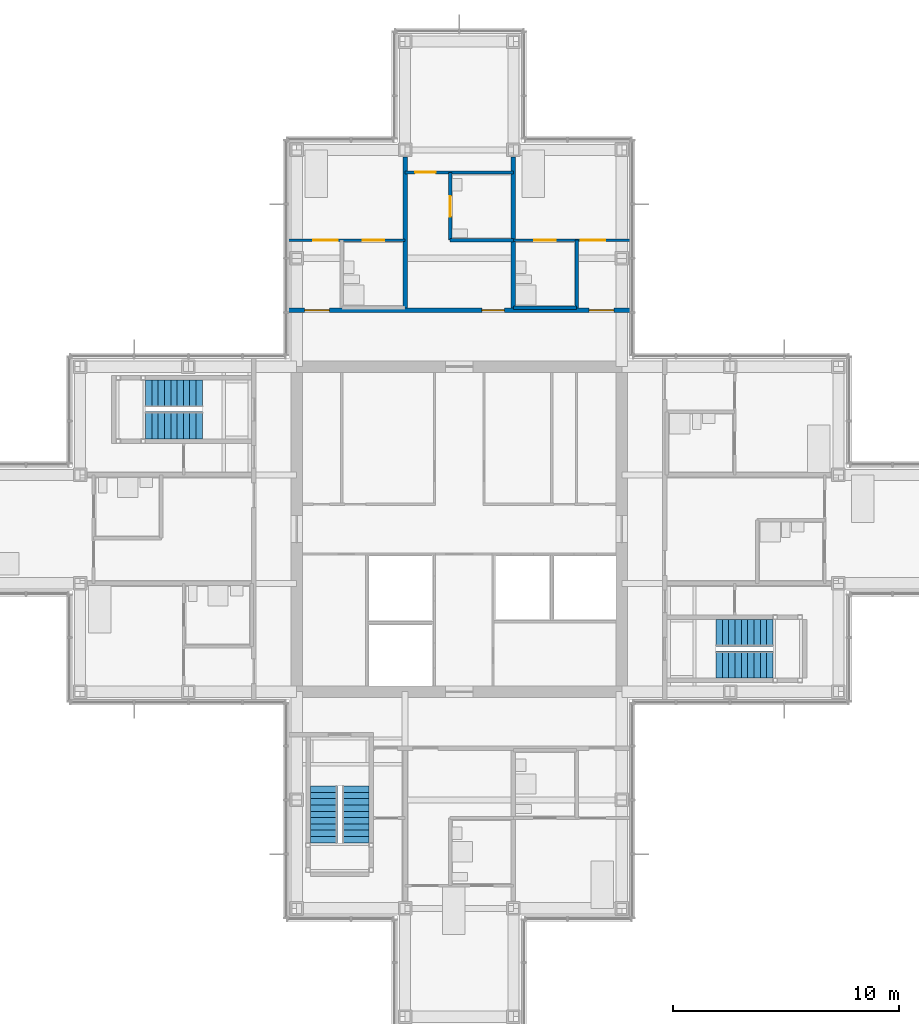
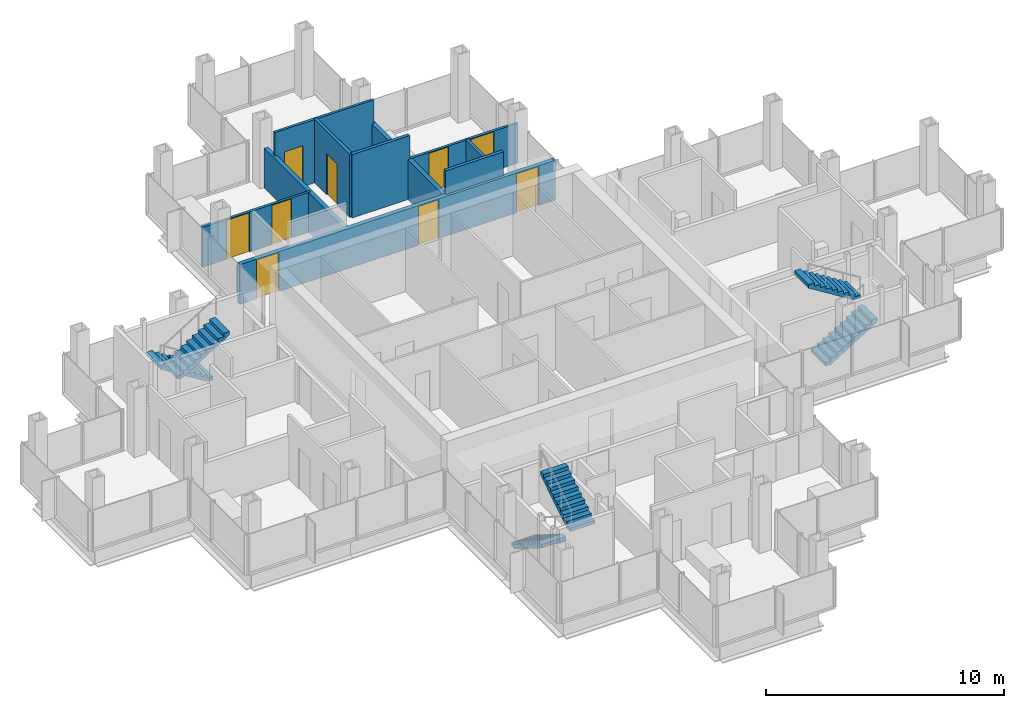
# One storey, part 14 of 17: 10 walls, 9 doors, 6 stair flights, 9 openings, 3 elements without a shape of their own.
"""IFC4 building model written with IfcOpenShell, lengths in metres."""

from ifc_helpers import new_model, si_unit, direction, frame, frame_2d, origin, place, context, subcontext, project, spatial, polyline, rectangle, outline, extrude, material, layer, layer_set, type_object, element, fill, aggregate, save


model = new_model("IFC4")

# Units and contexts
model_context = context("Model", 3, precision=1e-05, world=origin(), true_north=direction((0.0, 1.0)))
body_context = subcontext(model_context, "Body", "Model", "MODEL_VIEW")
ifc_project = project(units=[si_unit("LENGTHUNIT", "METRE"), si_unit("AREAUNIT", "SQUARE_METRE"), si_unit("VOLUMEUNIT", "CUBIC_METRE"), si_unit("PLANEANGLEUNIT", "RADIAN"), si_unit("MASSUNIT", "GRAM", prefix="KILO")], contexts=[model_context])

# Site, building, storey
site_placement = place(None, origin())
site = spatial("IfcSite", under=ifc_project, at=site_placement, CompositionType="ELEMENT")
building_placement = place(site_placement, origin())
building = spatial("IfcBuilding", under=site, at=building_placement, Name="Kvirike Care Tower", CompositionType="ELEMENT")
storey_placement = place(building_placement, frame((0.0, 0.0, 186.5)))
storey = spatial("IfcBuildingStorey", under=building, at=storey_placement, Name="L51", CompositionType="ELEMENT", Elevation=186.5)

# Walls
ifc_material_1 = material(Name="Moisture-resistant board partition", Category="gypsum")
ifc_layer_1 = layer(ifc_material_1, 0.14990234375)
ifc_layer_set_1 = layer_set([ifc_layer_1], Name="BATHROOM WALL 150")
wall_type_1 = type_object("IfcWallType", Name="BATHROOM WALL 150", PredefinedType="PARTITIONING", material=ifc_layer_set_1)
wall_1_placement = place(storey_placement, frame((26.800048828125, 48.800048828125, 0.0), z_axis=(0.0, 0.0, 1.0), x_axis=(0.0, -1.0, 0.0)))
element("IfcWall", 1, at=wall_1_placement, inside=storey, type_object=wall_type_1, Name="Bathroom Wall 150 L51", PredefinedType="PARTITIONING", context=body_context, shape_type="SweptSolid", body=[
    extrude(rectangle(XDim=3.0, YDim=0.14990234375, at=frame_2d((1.5, 0.0))), origin(), (0.0, 0.0, 1.0), 2.0400390625),
])
wall_2_placement = place(storey_placement, frame((26.800048828125, 45.800048828125, 0.0), z_axis=(0.0, 0.0, 1.0), x_axis=(-1.0, 0.0, 0.0)))
element("IfcWall", 2, at=wall_2_placement, inside=storey, type_object=wall_type_1, Name="Bathroom Wall 150 L51", PredefinedType="PARTITIONING", context=body_context, shape_type="SweptSolid", body=[
    extrude(rectangle(XDim=2.800048828125, YDim=0.14990234375, at=frame_2d((1.39990234375, 0.0))), origin(), (0.0, 0.0, 1.0), 3.25),
])

# Wall, opening, door
wall_3_placement = place(storey_placement, frame((21.199951171875, 51.800048828125, 0.0), z_axis=(0.0, 0.0, 1.0), x_axis=(0.0, -1.0, 0.0)))
wall_3 = element("IfcWall", 3, at=wall_3_placement, inside=storey, type_object=wall_type_1, Name="Bathroom Wall 150 L51", PredefinedType="PARTITIONING", context=body_context, shape_type="SweptSolid", body=[
    extrude(rectangle(XDim=3.0, YDim=0.14990234375, at=frame_2d((1.5, 0.0))), origin(), (0.0, 0.0, 1.0), 3.25),
])
opening_1_placement = place(wall_3_placement, frame((1.050048828125, 0.0, 0.0)))
opening_1 = element("IfcOpeningElement", 4, at=opening_1_placement, cuts=wall_3, Name="Opening 51-021", PredefinedType="OPENING", context=body_context, shape_type="SweptSolid", body=[
    extrude(rectangle(XDim=0.89990234375, YDim=2.10009765625, at=frame_2d((0.449951171875, 1.050048828125))), frame((0.0, 0.08544921875, 0.0), z_axis=(0.0, -1.0, 0.0), x_axis=(1.0, 0.0, 0.0)), (0.0, 0.0, 1.0), 0.1708984375),
])
ifc_material_2 = material(Name="Timber door set", Category="wood")
door_type_1 = type_object("IfcDoorType", Name="BATHROOM DOOR 900", OperationType="SINGLE_SWING_RIGHT", PredefinedType="DOOR", material=ifc_material_2)
door_1_placement = place(opening_1_placement, origin())
door_1 = element("IfcDoor", 5, at=door_1_placement, inside=storey, type_object=door_type_1, Name="Staff WC door", OperationType="SINGLE_SWING_RIGHT", OverallHeight=2.10009765625, OverallWidth=0.89990234375, PredefinedType="DOOR", context=body_context, shape_type="SweptSolid", body=[
    extrude(rectangle(XDim=0.89990234375, YDim=2.10009765625, at=frame_2d((0.449951171875, 1.050048828125))), frame((0.0, 0.02197265625, 0.0), z_axis=(0.0, -1.0, 0.0), x_axis=(1.0, 0.0, 0.0)), (0.0, 0.0, 1.0), 0.0439453125),
])
fill(opening_1, door_1)

# Wall
wall_4_placement = place(storey_placement, frame((24.0, 48.800048828125, 0.0), z_axis=(0.0, 0.0, 1.0), x_axis=(-1.0, 0.0, 0.0)))
element("IfcWall", 6, at=wall_4_placement, inside=storey, type_object=wall_type_1, Name="Bathroom Wall 150 L51", PredefinedType="PARTITIONING", context=body_context, shape_type="SweptSolid", body=[
    extrude(rectangle(XDim=2.800048828125, YDim=0.14990234375, at=frame_2d((1.39990234375, 0.0))), origin(), (0.0, 0.0, 1.0), 3.25),
])

# Wall, openings, doors
ifc_material_3 = material(Name="Plasterboard corridor wall", Category="gypsum")
ifc_layer_2 = layer(ifc_material_3, 0.199951171875)
ifc_layer_set_2 = layer_set([ifc_layer_2], Name="CORRIDOR WALL 200")
wall_type_2 = type_object("IfcWallType", Name="CORRIDOR WALL 200", PredefinedType="PARTITIONING", material=ifc_layer_set_2)
wall_5_placement = place(storey_placement, frame((29.25, 45.699951171875, 0.0), z_axis=(0.0, 0.0, 1.0), x_axis=(-1.0, 0.0, 0.0)))
wall_5 = element("IfcWall", 7, at=wall_5_placement, inside=storey, type_object=wall_type_2, Name="Corridor Wall 200 L51", PredefinedType="PARTITIONING", context=body_context, shape_type="SweptSolid", body=[
    extrude(rectangle(XDim=15.300048828125, YDim=0.199951171875, at=frame_2d((7.64990234375, 0.0))), origin(), (0.0, 0.0, 1.0), 2.0400390625),
])
opening_2_placement = place(wall_5_placement, frame((0.800048828125, 0.0, 0.0)))
opening_2 = element("IfcOpeningElement", 8, at=opening_2_placement, cuts=wall_5, Name="Opening 51-025", PredefinedType="OPENING", context=body_context, shape_type="SweptSolid", body=[
    extrude(rectangle(XDim=1.10009765625, YDim=2.0, at=frame_2d((0.550048828125, 1.0))), frame((0.0, 0.110595703125, 0.0), z_axis=(0.0, -1.0, 0.0), x_axis=(1.0, 0.0, 0.0)), (0.0, 0.0, 1.0), 0.220947265625),
])
opening_3_placement = place(wall_5_placement, frame((5.64990234375, 0.0, 0.0)))
opening_3 = element("IfcOpeningElement", 9, at=opening_3_placement, cuts=wall_5, Name="Opening 51-026", PredefinedType="OPENING", context=body_context, shape_type="SweptSolid", body=[
    extrude(rectangle(XDim=1.0, YDim=2.0, at=frame_2d((0.5, 1.0))), frame((0.0, 0.110595703125, 0.0), z_axis=(0.0, -1.0, 0.0), x_axis=(1.0, 0.0, 0.0)), (0.0, 0.0, 1.0), 0.220947265625),
])
opening_4_placement = place(wall_5_placement, frame((13.39990234375, 0.0, 0.0)))
opening_4 = element("IfcOpeningElement", 10, at=opening_4_placement, cuts=wall_5, Name="Opening 51-027", PredefinedType="OPENING", context=body_context, shape_type="SweptSolid", body=[
    extrude(rectangle(XDim=1.10009765625, YDim=2.0, at=frame_2d((0.550048828125, 1.0))), frame((0.0, 0.110595703125, 0.0), z_axis=(0.0, -1.0, 0.0), x_axis=(1.0, 0.0, 0.0)), (0.0, 0.0, 1.0), 0.220947265625),
])
ifc_material_4 = material(Name="Timber door set", Category="wood")
door_type_2 = type_object("IfcDoorType", Name="BEDROOM ENTRANCE DOOR 1100 x 2000", OperationType="SINGLE_SWING_LEFT", PredefinedType="DOOR", material=ifc_material_4)
door_2_placement = place(opening_2_placement, frame((1.10009765625, 0.0, 0.0), z_axis=(0.0, 0.0, 1.0), x_axis=(-1.0, 0.0, 0.0)))
door_2 = element("IfcDoor", 11, at=door_2_placement, inside=storey, type_object=door_type_2, Name="Memory care bedroom entrance", OperationType="SINGLE_SWING_LEFT", OverallHeight=2.0, OverallWidth=1.10009765625, PredefinedType="DOOR", context=body_context, shape_type="SweptSolid", body=[
    extrude(rectangle(XDim=1.10009765625, YDim=2.0, at=frame_2d((0.550048828125, 1.0))), frame((0.0, 0.02685546875, 0.0), z_axis=(0.0, -1.0, 0.0), x_axis=(1.0, 0.0, 0.0)), (0.0, 0.0, 1.0), 0.053955078125),
])
fill(opening_2, door_2)
door_3_placement = place(opening_4_placement, frame((1.10009765625, 0.0, 0.0), z_axis=(0.0, 0.0, 1.0), x_axis=(-1.0, 0.0, 0.0)))
door_3 = element("IfcDoor", 12, at=door_3_placement, inside=storey, type_object=door_type_2, Name="Memory care bedroom entrance", OperationType="SINGLE_SWING_RIGHT", OverallHeight=2.0, OverallWidth=1.10009765625, PredefinedType="DOOR", context=body_context, shape_type="SweptSolid", body=[
    extrude(rectangle(XDim=1.10009765625, YDim=2.0, at=frame_2d((0.550048828125, 1.0))), frame((0.0, 0.02685546875, 0.0), z_axis=(0.0, -1.0, 0.0), x_axis=(1.0, 0.0, 0.0)), (0.0, 0.0, 1.0), 0.053955078125),
])
fill(opening_4, door_3)
ifc_material_5 = material(Name="Timber door set", Category="wood")
door_type_3 = type_object("IfcDoorType", Name="FLAT ENTRANCE DOOR 1000 x 2000", OperationType="SINGLE_SWING_LEFT", PredefinedType="DOOR", material=ifc_material_5)
door_4_placement = place(opening_3_placement, frame((1.0, 0.0, 0.0), z_axis=(0.0, 0.0, 1.0), x_axis=(-1.0, 0.0, 0.0)))
door_4 = element("IfcDoor", 13, at=door_4_placement, inside=storey, type_object=door_type_3, Name="Sensory garden room entrance", OperationType="SINGLE_SWING_LEFT", OverallHeight=2.0, OverallWidth=1.0, PredefinedType="DOOR", context=body_context, shape_type="SweptSolid", body=[
    extrude(rectangle(XDim=1.0, YDim=2.0, at=frame_2d((0.5, 1.0))), frame((0.0, 0.02685546875, 0.0), z_axis=(0.0, -1.0, 0.0), x_axis=(1.0, 0.0, 0.0)), (0.0, 0.0, 1.0), 0.053955078125),
])
fill(opening_3, door_4)

ifc_material_6 = material(Name="Plasterboard partition", Category="gypsum")
ifc_layer_3 = layer(ifc_material_6, 0.1201171875)
ifc_layer_set_3 = layer_set([ifc_layer_3], Name="PARTITION 120")
wall_type_3 = type_object("IfcWallType", Name="PARTITION 120", PredefinedType="PARTITIONING", material=ifc_layer_set_3)
wall_6_placement = place(storey_placement, frame((29.25, 48.800048828125, 0.0), z_axis=(0.0, 0.0, 1.0), x_axis=(-1.0, 0.0, 0.0)))
wall_6 = element("IfcWall", 14, at=wall_6_placement, inside=storey, type_object=wall_type_3, Name="Partition 120 L51", PredefinedType="PARTITIONING", context=body_context, shape_type="SweptSolid", body=[
    extrude(rectangle(XDim=5.25, YDim=0.1201171875, at=frame_2d((2.625, 0.0))), origin(), (0.0, 0.0, 1.0), 2.0400390625),
])
opening_5_placement = place(wall_6_placement, frame((1.175048828125, 0.0, 0.0)))
opening_5 = element("IfcOpeningElement", 15, at=opening_5_placement, cuts=wall_6, Name="Opening 51-019", PredefinedType="OPENING", context=body_context, shape_type="SweptSolid", body=[
    extrude(rectangle(XDim=1.10009765625, YDim=2.0, at=frame_2d((0.550048828125, 1.0))), frame((0.0, 0.070556640625, 0.0), z_axis=(0.0, -1.0, 0.0), x_axis=(1.0, 0.0, 0.0)), (0.0, 0.0, 1.0), 0.14111328125),
])
opening_6_placement = place(wall_6_placement, frame((3.375, 0.0, 0.0)))
opening_6 = element("IfcOpeningElement", 16, at=opening_6_placement, cuts=wall_6, Name="Opening 51-020", PredefinedType="OPENING", context=body_context, shape_type="SweptSolid", body=[
    extrude(rectangle(XDim=0.949951171875, YDim=2.0, at=frame_2d((0.47509765625, 1.0))), frame((0.0, 0.070556640625, 0.0), z_axis=(0.0, -1.0, 0.0), x_axis=(1.0, 0.0, 0.0)), (0.0, 0.0, 1.0), 0.14111328125),
])
ifc_material_7 = material(Name="Timber door set", Category="wood")
door_type_4 = type_object("IfcDoorType", Name="BEDROOM DOOR 1100 x 2000", OperationType="SINGLE_SWING_LEFT", PredefinedType="DOOR", material=ifc_material_7)
door_5_placement = place(opening_5_placement, origin())
door_5 = element("IfcDoor", 17, at=door_5_placement, inside=storey, type_object=door_type_4, Name="Memory care bedroom door", OperationType="SINGLE_SWING_LEFT", OverallHeight=2.0, OverallWidth=1.10009765625, PredefinedType="DOOR", context=body_context, shape_type="SweptSolid", body=[
    extrude(rectangle(XDim=1.10009765625, YDim=2.0, at=frame_2d((0.550048828125, 1.0))), frame((0.0, 0.02197265625, 0.0), z_axis=(0.0, -1.0, 0.0), x_axis=(1.0, 0.0, 0.0)), (0.0, 0.0, 1.0), 0.0439453125),
])
fill(opening_5, door_5)
ifc_material_8 = material(Name="Timber door set", Category="wood")
door_type_5 = type_object("IfcDoorType", Name="EN-SUITE SLIDING DOOR 950 x 2000", OperationType="SLIDING_TO_LEFT", PredefinedType="DOOR", material=ifc_material_8)
door_6_placement = place(opening_6_placement, origin())
door_6 = element("IfcDoor", 18, at=door_6_placement, inside=storey, type_object=door_type_5, Name="En-suite door", OperationType="SLIDING_TO_RIGHT", OverallHeight=2.0, OverallWidth=0.949951171875, PredefinedType="DOOR", context=body_context, shape_type="SweptSolid", body=[
    extrude(rectangle(XDim=0.949951171875, YDim=2.0, at=frame_2d((0.47509765625, 1.0))), frame((0.0, 0.02197265625, 0.0), z_axis=(0.0, -1.0, 0.0), x_axis=(1.0, 0.0, 0.0)), (0.0, 0.0, 1.0), 0.0439453125),
])
fill(opening_6, door_6)

# Wall, opening, door
wall_7_placement = place(storey_placement, frame((24.0, 51.800048828125, 0.0), z_axis=(0.0, 0.0, 1.0), x_axis=(-1.0, 0.0, 0.0)))
wall_7 = element("IfcWall", 19, at=wall_7_placement, inside=storey, type_object=wall_type_3, Name="Partition 120 L51", PredefinedType="PARTITIONING", context=body_context, shape_type="SweptSolid", body=[
    extrude(rectangle(XDim=4.800048828125, YDim=0.1201171875, at=frame_2d((2.39990234375, 0.0))), origin(), (0.0, 0.0, 1.0), 3.25),
])
opening_7_placement = place(wall_7_placement, frame((3.449951171875, 0.0, 0.0)))
opening_7 = element("IfcOpeningElement", 20, at=opening_7_placement, cuts=wall_7, Name="Opening 51-022", PredefinedType="OPENING", context=body_context, shape_type="SweptSolid", body=[
    extrude(rectangle(XDim=0.89990234375, YDim=2.10009765625, at=frame_2d((0.449951171875, 1.050048828125))), frame((0.0, 0.070556640625, 0.0), z_axis=(0.0, -1.0, 0.0), x_axis=(1.0, 0.0, 0.0)), (0.0, 0.0, 1.0), 0.14111328125),
])
ifc_material_9 = material(Name="Timber door set", Category="wood")
door_type_6 = type_object("IfcDoorType", Name="INTERNAL DOOR 900", OperationType="SINGLE_SWING_LEFT", PredefinedType="DOOR", material=ifc_material_9)
door_7_placement = place(opening_7_placement, origin())
door_7 = element("IfcDoor", 21, at=door_7_placement, inside=storey, type_object=door_type_6, Name="Sensory garden room door", OperationType="SINGLE_SWING_LEFT", OverallHeight=2.10009765625, OverallWidth=0.89990234375, PredefinedType="DOOR", context=body_context, shape_type="SweptSolid", body=[
    extrude(rectangle(XDim=0.89990234375, YDim=2.10009765625, at=frame_2d((0.449951171875, 1.050048828125))), frame((0.0, 0.02197265625, 0.0), z_axis=(0.0, -1.0, 0.0), x_axis=(1.0, 0.0, 0.0)), (0.0, 0.0, 1.0), 0.0439453125),
])
fill(opening_7, door_7)

# Wall, openings, doors
wall_8_placement = place(storey_placement, frame((19.199951171875, 48.800048828125, 0.0), z_axis=(0.0, 0.0, 1.0), x_axis=(-1.0, 0.0, 0.0)))
wall_8 = element("IfcWall", 22, at=wall_8_placement, inside=storey, type_object=wall_type_3, Name="Partition 120 L51", PredefinedType="PARTITIONING", context=body_context, shape_type="SweptSolid", body=[
    extrude(rectangle(XDim=5.25, YDim=0.1201171875, at=frame_2d((2.625, 0.0))), origin(), (0.0, 0.0, 1.0), 2.0400390625),
])
opening_8_placement = place(wall_8_placement, frame((2.97509765625, 0.0, 0.0)))
opening_8 = element("IfcOpeningElement", 23, at=opening_8_placement, cuts=wall_8, Name="Opening 51-023", PredefinedType="OPENING", context=body_context, shape_type="SweptSolid", body=[
    extrude(rectangle(XDim=1.10009765625, YDim=2.0, at=frame_2d((0.550048828125, 1.0))), frame((0.0, 0.070556640625, 0.0), z_axis=(0.0, -1.0, 0.0), x_axis=(1.0, 0.0, 0.0)), (0.0, 0.0, 1.0), 0.14111328125),
])
opening_9_placement = place(wall_8_placement, frame((0.925048828125, 0.0, 0.0)))
opening_9 = element("IfcOpeningElement", 24, at=opening_9_placement, cuts=wall_8, Name="Opening 51-024", PredefinedType="OPENING", context=body_context, shape_type="SweptSolid", body=[
    extrude(rectangle(XDim=0.949951171875, YDim=2.0, at=frame_2d((0.47509765625, 1.0))), frame((0.0, 0.070556640625, 0.0), z_axis=(0.0, -1.0, 0.0), x_axis=(1.0, 0.0, 0.0)), (0.0, 0.0, 1.0), 0.14111328125),
])
door_8_placement = place(opening_8_placement, origin())
door_8 = element("IfcDoor", 25, at=door_8_placement, inside=storey, type_object=door_type_4, Name="Memory care bedroom door", OperationType="SINGLE_SWING_RIGHT", OverallHeight=2.0, OverallWidth=1.10009765625, PredefinedType="DOOR", context=body_context, shape_type="SweptSolid", body=[
    extrude(rectangle(XDim=1.10009765625, YDim=2.0, at=frame_2d((0.550048828125, 1.0))), frame((0.0, 0.02197265625, 0.0), z_axis=(0.0, -1.0, 0.0), x_axis=(1.0, 0.0, 0.0)), (0.0, 0.0, 1.0), 0.0439453125),
])
fill(opening_8, door_8)
door_9_placement = place(opening_9_placement, origin())
door_9 = element("IfcDoor", 26, at=door_9_placement, inside=storey, type_object=door_type_5, Name="En-suite door", OperationType="SLIDING_TO_LEFT", OverallHeight=2.0, OverallWidth=0.949951171875, PredefinedType="DOOR", context=body_context, shape_type="SweptSolid", body=[
    extrude(rectangle(XDim=0.949951171875, YDim=2.0, at=frame_2d((0.47509765625, 1.0))), frame((0.0, 0.02197265625, 0.0), z_axis=(0.0, -1.0, 0.0), x_axis=(1.0, 0.0, 0.0)), (0.0, 0.0, 1.0), 0.0439453125),
])
fill(opening_9, door_9)

# Walls
ifc_material_10 = material(Name="Plasterboard party wall", Category="gypsum")
ifc_layer_4 = layer(ifc_material_10, 0.199951171875)
ifc_layer_set_4 = layer_set([ifc_layer_4], Name="PARTY WALL 200")
wall_type_4 = type_object("IfcWallType", Name="PARTY WALL 200", PredefinedType="PARTITIONING", material=ifc_layer_set_4)
for number, where, z_axis, x_axis, name in (
    (27, (24.0, 52.47998046875, 0.0), (0.0, 0.0, 1.0), (0.0, -1.0, 0.0), "Party Wall 200 L51"),
    (28, (19.199951171875, 52.47998046875, 0.0), (0.0, 0.0, 1.0), (0.0, -1.0, 0.0), "Party Wall 200 L51"),
):
    element("IfcWall", number, at=place(storey_placement, frame(where, z_axis=z_axis, x_axis=x_axis)), inside=storey, type_object=wall_type_4, Name=name, PredefinedType="PARTITIONING", context=body_context, shape_type="SweptSolid", body=[
        extrude(rectangle(XDim=6.679931640625, YDim=0.199951171875, at=frame_2d((3.33984375, 0.0))), origin(), (0.0, 0.0, 1.0), 2.0400390625),
    ])

# Stair, stair flights
ifc_material_11 = material(Name="Concrete C35/45", Category="concrete")
stair_type = type_object("IfcStairType", Name="STAIR 20 RISERS", PredefinedType="HALF_TURN_STAIR", material=ifc_material_11)
stair_1_placement = place(storey_placement, origin())
stair_1 = element("IfcStair", 29, at=stair_1_placement, inside=storey, type_object=stair_type, Name="Stair 1 L51", PredefinedType="HALF_TURN_STAIR")
ifc_material_12 = material(Name="Concrete C35/45", Category="concrete")
stair_flight_type = type_object("IfcStairFlightType", Name="FLIGHT 10 RISERS", PredefinedType="STRAIGHT", material=ifc_material_12)
stair_flight_1_placement = place(storey_placement, frame((10.219970703125, 42.0, 0.0), z_axis=(0.0, 0.0, 1.0), x_axis=(-1.0, 0.0, 0.0)))
stair_flight_1 = element("IfcStairFlight", 30, at=stair_flight_1_placement, type_object=stair_flight_type, Name="Stair S1 flight 1 L51-L52", NumberOfRisers=10, NumberOfTreads=9, PredefinedType="STRAIGHT", RiserHeight=0.175, TreadLength=0.28, context=body_context, shape_type="SweptSolid", body=[
    extrude(outline(polyline([(0.0, 0.0), (0.0, 0.175048828125), (0.280029296875, 0.175048828125), (0.280029296875, 0.35009765625), (0.56005859375, 0.35009765625), (0.56005859375, 0.52490234375), (0.840087890625, 0.52490234375), (0.840087890625, 0.699951171875), (1.1201171875, 0.699951171875), (1.1201171875, 0.875), (1.39990234375, 0.875), (1.39990234375, 1.050048828125), (1.679931640625, 1.050048828125), (1.679931640625, 1.22509765625), (1.9599609375, 1.22509765625), (1.9599609375, 1.39990234375), (2.239990234375, 1.39990234375), (2.239990234375, 1.574951171875), (2.52001953125, 1.574951171875), (2.52001953125, 1.75), (2.52001953125, 1.398193359375), (0.28271484375, 0.0), (0.0, 0.0)])), frame((0.0, 0.60009765625, 0.0), z_axis=(0.0, -1.0, 0.0), x_axis=(1.0, 0.0, 0.0)), (0.0, 0.0, 1.0), 1.199951171875),
])
stair_flight_2_placement = place(storey_placement, frame((7.699951171875, 40.60009765625, 1.75), z_axis=(0.0, 0.0, 1.0), x_axis=(1.0, 0.0, 0.0)))
stair_flight_2 = element("IfcStairFlight", 31, at=stair_flight_2_placement, type_object=stair_flight_type, Name="Stair S1 flight 2 L51-L52", NumberOfRisers=10, NumberOfTreads=9, PredefinedType="STRAIGHT", RiserHeight=0.175, TreadLength=0.28, context=body_context, shape_type="SweptSolid", body=[
    extrude(outline(polyline([(0.0, 0.0), (0.0, 0.175048828125), (0.280029296875, 0.175048828125), (0.280029296875, 0.35009765625), (0.56005859375, 0.35009765625), (0.56005859375, 0.52490234375), (0.840087890625, 0.52490234375), (0.840087890625, 0.699951171875), (1.1201171875, 0.699951171875), (1.1201171875, 0.875), (1.39990234375, 0.875), (1.39990234375, 1.050048828125), (1.679931640625, 1.050048828125), (1.679931640625, 1.22509765625), (1.9599609375, 1.22509765625), (1.9599609375, 1.39990234375), (2.239990234375, 1.39990234375), (2.239990234375, 1.574951171875), (2.52001953125, 1.574951171875), (2.52001953125, 1.75), (2.52001953125, 1.398193359375), (0.28271484375, 0.0), (0.0, 0.0)])), frame((0.0, 0.60009765625, 0.0), z_axis=(0.0, -1.0, 0.0), x_axis=(1.0, 0.0, 0.0)), (0.0, 0.0, 1.0), 1.199951171875),
])
aggregate(stair_1, [stair_flight_1, stair_flight_2])

stair_2_placement = place(storey_placement, origin())
stair_2 = element("IfcStair", 32, at=stair_2_placement, inside=storey, type_object=stair_type, Name="Stair 2 L51", PredefinedType="HALF_TURN_STAIR")
stair_flight_3_placement = place(storey_placement, frame((32.97998046875, 30.0, 0.0), z_axis=(0.0, 0.0, 1.0), x_axis=(1.0, 0.0, 0.0)))
stair_flight_3 = element("IfcStairFlight", 33, at=stair_flight_3_placement, type_object=stair_flight_type, Name="Stair S2 flight 1 L51-L52", NumberOfRisers=10, NumberOfTreads=9, PredefinedType="STRAIGHT", RiserHeight=0.175, TreadLength=0.28, context=body_context, shape_type="SweptSolid", body=[
    extrude(outline(polyline([(0.0, 0.0), (0.0, 0.175048828125), (0.280029296875, 0.175048828125), (0.280029296875, 0.35009765625), (0.56005859375, 0.35009765625), (0.56005859375, 0.52490234375), (0.840087890625, 0.52490234375), (0.840087890625, 0.699951171875), (1.1201171875, 0.699951171875), (1.1201171875, 0.875), (1.39990234375, 0.875), (1.39990234375, 1.050048828125), (1.679931640625, 1.050048828125), (1.679931640625, 1.22509765625), (1.9599609375, 1.22509765625), (1.9599609375, 1.39990234375), (2.239990234375, 1.39990234375), (2.239990234375, 1.574951171875), (2.52001953125, 1.574951171875), (2.52001953125, 1.75), (2.52001953125, 1.398193359375), (0.28271484375, 0.0), (0.0, 0.0)])), frame((0.0, 0.60009765625, 0.0), z_axis=(0.0, -1.0, 0.0), x_axis=(1.0, 0.0, 0.0)), (0.0, 0.0, 1.0), 1.199951171875),
])
stair_flight_4_placement = place(storey_placement, frame((35.5, 31.39990234375, 1.75), z_axis=(0.0, 0.0, 1.0), x_axis=(-1.0, 0.0, 0.0)))
stair_flight_4 = element("IfcStairFlight", 34, at=stair_flight_4_placement, type_object=stair_flight_type, Name="Stair S2 flight 2 L51-L52", NumberOfRisers=10, NumberOfTreads=9, PredefinedType="STRAIGHT", RiserHeight=0.175, TreadLength=0.28, context=body_context, shape_type="SweptSolid", body=[
    extrude(outline(polyline([(0.0, 0.0), (0.0, 0.175048828125), (0.280029296875, 0.175048828125), (0.280029296875, 0.35009765625), (0.56005859375, 0.35009765625), (0.56005859375, 0.52490234375), (0.840087890625, 0.52490234375), (0.840087890625, 0.699951171875), (1.1201171875, 0.699951171875), (1.1201171875, 0.875), (1.39990234375, 0.875), (1.39990234375, 1.050048828125), (1.679931640625, 1.050048828125), (1.679931640625, 1.22509765625), (1.9599609375, 1.22509765625), (1.9599609375, 1.39990234375), (2.239990234375, 1.39990234375), (2.239990234375, 1.574951171875), (2.52001953125, 1.574951171875), (2.52001953125, 1.75), (2.52001953125, 1.398193359375), (0.28271484375, 0.0), (0.0, 0.0)])), frame((0.0, 0.60009765625, 0.0), z_axis=(0.0, -1.0, 0.0), x_axis=(1.0, 0.0, 0.0)), (0.0, 0.0, 1.0), 1.199951171875),
])
aggregate(stair_2, [stair_flight_3, stair_flight_4])

stair_3_placement = place(storey_placement, origin())
stair_3 = element("IfcStair", 35, at=stair_3_placement, inside=storey, type_object=stair_type, Name="Stair 5 L51", PredefinedType="HALF_TURN_STAIR")
stair_flight_5_placement = place(storey_placement, frame((15.60009765625, 24.6201171875, 0.0), z_axis=(0.0, 0.0, 1.0), x_axis=(0.0, -1.0, 0.0)))
stair_flight_5 = element("IfcStairFlight", 36, at=stair_flight_5_placement, type_object=stair_flight_type, Name="Stair S5 flight 1 L51-L52", NumberOfRisers=10, NumberOfTreads=9, PredefinedType="STRAIGHT", RiserHeight=0.175, TreadLength=0.28, context=body_context, shape_type="SweptSolid", body=[
    extrude(outline(polyline([(0.0, 0.0), (0.0, 0.175048828125), (0.280029296875, 0.175048828125), (0.280029296875, 0.35009765625), (0.56005859375, 0.35009765625), (0.56005859375, 0.52490234375), (0.840087890625, 0.52490234375), (0.840087890625, 0.699951171875), (1.1201171875, 0.699951171875), (1.1201171875, 0.875), (1.39990234375, 0.875), (1.39990234375, 1.050048828125), (1.679931640625, 1.050048828125), (1.679931640625, 1.22509765625), (1.9599609375, 1.22509765625), (1.9599609375, 1.39990234375), (2.239990234375, 1.39990234375), (2.239990234375, 1.574951171875), (2.52001953125, 1.574951171875), (2.52001953125, 1.75), (2.52001953125, 1.398193359375), (0.28271484375, 0.0), (0.0, 0.0)])), frame((0.0, 0.60009765625, 0.0), z_axis=(0.0, -1.0, 0.0), x_axis=(1.0, 0.0, 0.0)), (0.0, 0.0, 1.0), 1.199951171875),
])
stair_flight_6_placement = place(storey_placement, frame((17.0, 22.10009765625, 1.75), z_axis=(0.0, 0.0, 1.0), x_axis=(0.0, 1.0, 0.0)))
stair_flight_6 = element("IfcStairFlight", 37, at=stair_flight_6_placement, type_object=stair_flight_type, Name="Stair S5 flight 2 L51-L52", NumberOfRisers=10, NumberOfTreads=9, PredefinedType="STRAIGHT", RiserHeight=0.175, TreadLength=0.28, context=body_context, shape_type="SweptSolid", body=[
    extrude(outline(polyline([(0.0, 0.0), (0.0, 0.175048828125), (0.280029296875, 0.175048828125), (0.280029296875, 0.35009765625), (0.56005859375, 0.35009765625), (0.56005859375, 0.52490234375), (0.840087890625, 0.52490234375), (0.840087890625, 0.699951171875), (1.1201171875, 0.699951171875), (1.1201171875, 0.875), (1.39990234375, 0.875), (1.39990234375, 1.050048828125), (1.679931640625, 1.050048828125), (1.679931640625, 1.22509765625), (1.9599609375, 1.22509765625), (1.9599609375, 1.39990234375), (2.239990234375, 1.39990234375), (2.239990234375, 1.574951171875), (2.52001953125, 1.574951171875), (2.52001953125, 1.75), (2.52001953125, 1.398193359375), (0.28271484375, 0.0), (0.0, 0.0)])), frame((0.0, 0.60009765625, 0.0), z_axis=(0.0, -1.0, 0.0), x_axis=(1.0, 0.0, 0.0)), (0.0, 0.0, 1.0), 1.199951171875),
])
aggregate(stair_3, [stair_flight_5, stair_flight_6])

save(model, "model.ifc")
